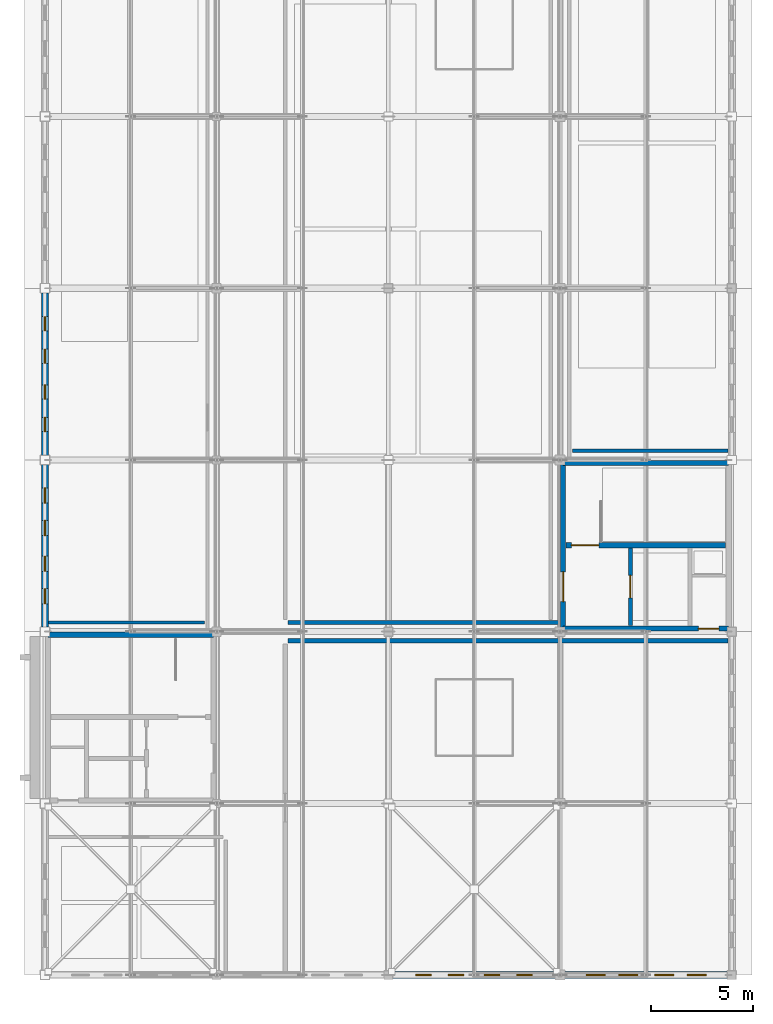
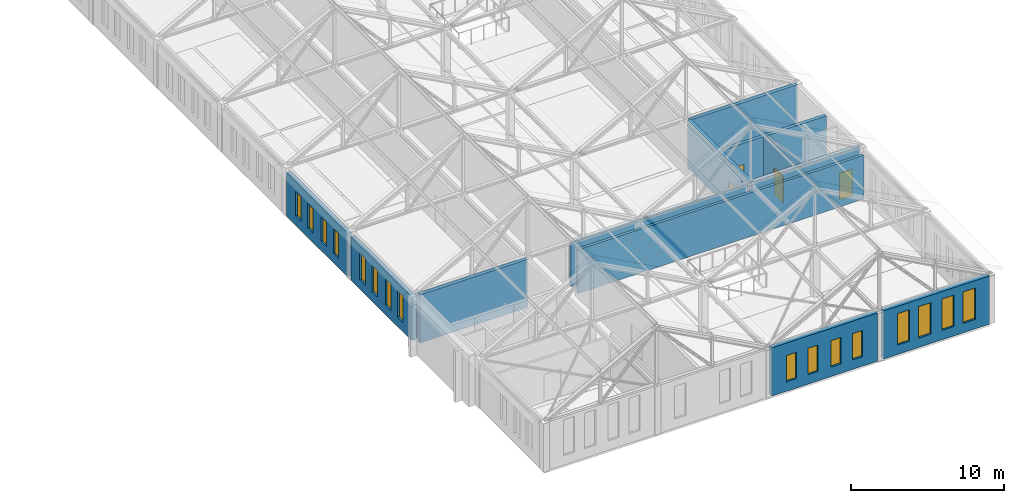
# One storey, part 31 of 36: 16 windows, 14 walls, 4 doors, 20 openings.
"""IFC4 building model written with IfcOpenShell, lengths in metres."""

from ifc_helpers import new_model, si_unit, direction, frame, frame_2d, origin, place, context, subcontext, project, spatial, rectangle, extrude, material, layer, layer_set, type_object, element, fill, save


model = new_model("IFC4")

# Units and contexts
model_context = context("Model", 3, precision=1e-05, world=origin(), true_north=direction((0.0, 1.0)))
body_context = subcontext(model_context, "Body", "Model", "MODEL_VIEW")
ifc_project = project(units=[si_unit("LENGTHUNIT", "METRE"), si_unit("AREAUNIT", "SQUARE_METRE"), si_unit("VOLUMEUNIT", "CUBIC_METRE"), si_unit("PLANEANGLEUNIT", "RADIAN"), si_unit("MASSUNIT", "GRAM", prefix="KILO")], contexts=[model_context])

# Site, building, storey
site_placement = place(None, origin())
site = spatial("IfcSite", under=ifc_project, at=site_placement, CompositionType="ELEMENT")
building_placement = place(site_placement, origin())
building = spatial("IfcBuilding", under=site, at=building_placement, Name="Kveldsbrygga Polytechnic", CompositionType="ELEMENT")
storey_placement = place(building_placement, frame((0.0, 0.0, 26.179931640625)))
storey = spatial("IfcBuildingStorey", under=building, at=storey_placement, Name="L06", CompositionType="ELEMENT", Elevation=26.179931640625)

# Wall, openings, windows
ifc_material_1 = material(Name="Fired clay brick masonry M10", Category="masonry")
ifc_layer_1 = layer(ifc_material_1, 0.340087890625)
ifc_layer_set_1 = layer_set([ifc_layer_1], Name="Fired clay brick masonry M10")
wall_type_1 = type_object("IfcWallType", Name="EW-BRICK-340", PredefinedType="SOLIDWALL", material=ifc_layer_set_1)
wall_1_placement = place(storey_placement, frame((126.0, 33.824951171875, 0.0), z_axis=(0.0, 0.0, 1.0), x_axis=(0.0, 1.0, 0.0)))
wall_1 = element("IfcWall", 1, at=wall_1_placement, inside=storey, type_object=wall_type_1, Name="Exterior Brick Wall EW-L06-Y-15-04", PredefinedType="SOLIDWALL", context=body_context, shape_type="SweptSolid", body=[
    extrude(rectangle(XDim=7.949951171875, YDim=0.340087890625, at=frame_2d((3.97509765625, 0.0))), origin(), (0.0, 0.0, 1.0), 3.47998046875),
])
opening_1_placement = place(wall_1_placement, frame((1.135498046875, 0.0, 0.75)))
opening_1 = element("IfcOpeningElement", 2, at=opening_1_placement, cuts=wall_1, Name="Opening W-27", PredefinedType="OPENING", context=body_context, shape_type="SweptSolid", body=[
    extrude(rectangle(XDim=0.75, YDim=2.10009765625, at=frame_2d((0.375, 1.050048828125))), frame((0.0, 0.18017578125, 0.0), z_axis=(0.0, -1.0, 0.0), x_axis=(1.0, 0.0, 0.0)), (0.0, 0.0, 1.0), 0.360107421875),
])
opening_2_placement = place(wall_1_placement, frame((2.7255859375, 0.0, 0.75)))
opening_2 = element("IfcOpeningElement", 3, at=opening_2_placement, cuts=wall_1, Name="Opening W-27", PredefinedType="OPENING", context=body_context, shape_type="SweptSolid", body=[
    extrude(rectangle(XDim=0.75, YDim=2.10009765625, at=frame_2d((0.375, 1.050048828125))), frame((0.0, 0.18017578125, 0.0), z_axis=(0.0, -1.0, 0.0), x_axis=(1.0, 0.0, 0.0)), (0.0, 0.0, 1.0), 0.360107421875),
])
opening_3_placement = place(wall_1_placement, frame((4.474609375, 0.0, 0.75)))
opening_3 = element("IfcOpeningElement", 4, at=opening_3_placement, cuts=wall_1, Name="Opening W-27", PredefinedType="OPENING", context=body_context, shape_type="SweptSolid", body=[
    extrude(rectangle(XDim=0.75, YDim=2.10009765625, at=frame_2d((0.375, 1.050048828125))), frame((0.0, 0.18017578125, 0.0), z_axis=(0.0, -1.0, 0.0), x_axis=(1.0, 0.0, 0.0)), (0.0, 0.0, 1.0), 0.360107421875),
])
opening_4_placement = place(wall_1_placement, frame((6.064453125, 0.0, 0.75)))
opening_4 = element("IfcOpeningElement", 5, at=opening_4_placement, cuts=wall_1, Name="Opening W-27", PredefinedType="OPENING", context=body_context, shape_type="SweptSolid", body=[
    extrude(rectangle(XDim=0.75, YDim=2.10009765625, at=frame_2d((0.375, 1.050048828125))), frame((0.0, 0.18017578125, 0.0), z_axis=(0.0, -1.0, 0.0), x_axis=(1.0, 0.0, 0.0)), (0.0, 0.0, 1.0), 0.360107421875),
])
ifc_material_2 = material(Name="Insulated triple low-E glass", Category="glass")
window_type_1 = type_object("IfcWindowType", Name="WN-ATTIC-075x210", PartitioningType="DOUBLE_PANEL_VERTICAL", PredefinedType="WINDOW", material=ifc_material_2)
window_1_placement = place(opening_1_placement, origin())
window_1 = element("IfcWindow", 6, at=window_1_placement, inside=storey, type_object=window_type_1, Name="Gothic Lancet Window WIN-L06-Y-15-04-1", OverallHeight=2.10009765625, OverallWidth=0.75, PartitioningType="DOUBLE_PANEL_VERTICAL", PredefinedType="WINDOW", context=body_context, shape_type="SweptSolid", body=[
    extrude(rectangle(XDim=0.75, YDim=2.10009765625, at=frame_2d((0.375, 1.050048828125))), frame((0.0, 0.030029296875, 0.0), z_axis=(0.0, -1.0, 0.0), x_axis=(1.0, 0.0, 0.0)), (0.0, 0.0, 1.0), 0.06005859375),
])
fill(opening_1, window_1)
window_2_placement = place(opening_2_placement, origin())
window_2 = element("IfcWindow", 7, at=window_2_placement, inside=storey, type_object=window_type_1, Name="Gothic Lancet Window WIN-L06-Y-15-04-2", OverallHeight=2.10009765625, OverallWidth=0.75, PartitioningType="DOUBLE_PANEL_VERTICAL", PredefinedType="WINDOW", context=body_context, shape_type="SweptSolid", body=[
    extrude(rectangle(XDim=0.75, YDim=2.10009765625, at=frame_2d((0.375, 1.050048828125))), frame((0.0, 0.030029296875, 0.0), z_axis=(0.0, -1.0, 0.0), x_axis=(1.0, 0.0, 0.0)), (0.0, 0.0, 1.0), 0.06005859375),
])
fill(opening_2, window_2)
window_3_placement = place(opening_3_placement, origin())
window_3 = element("IfcWindow", 8, at=window_3_placement, inside=storey, type_object=window_type_1, Name="Gothic Lancet Window WIN-L06-Y-15-04-3", OverallHeight=2.10009765625, OverallWidth=0.75, PartitioningType="DOUBLE_PANEL_VERTICAL", PredefinedType="WINDOW", context=body_context, shape_type="SweptSolid", body=[
    extrude(rectangle(XDim=0.75, YDim=2.10009765625, at=frame_2d((0.375, 1.050048828125))), frame((0.0, 0.030029296875, 0.0), z_axis=(0.0, -1.0, 0.0), x_axis=(1.0, 0.0, 0.0)), (0.0, 0.0, 1.0), 0.06005859375),
])
fill(opening_3, window_3)
window_4_placement = place(opening_4_placement, origin())
window_4 = element("IfcWindow", 9, at=window_4_placement, inside=storey, type_object=window_type_1, Name="Gothic Lancet Window WIN-L06-Y-15-04-4", OverallHeight=2.10009765625, OverallWidth=0.75, PartitioningType="DOUBLE_PANEL_VERTICAL", PredefinedType="WINDOW", context=body_context, shape_type="SweptSolid", body=[
    extrude(rectangle(XDim=0.75, YDim=2.10009765625, at=frame_2d((0.375, 1.050048828125))), frame((0.0, 0.030029296875, 0.0), z_axis=(0.0, -1.0, 0.0), x_axis=(1.0, 0.0, 0.0)), (0.0, 0.0, 1.0), 0.06005859375),
])
fill(opening_4, window_4)

wall_2_placement = place(storey_placement, frame((126.0, 42.22509765625, 0.0), z_axis=(0.0, 0.0, 1.0), x_axis=(0.0, 1.0, 0.0)))
wall_2 = element("IfcWall", 10, at=wall_2_placement, inside=storey, type_object=wall_type_1, Name="Exterior Brick Wall EW-L06-Y-15-05", PredefinedType="SOLIDWALL", context=body_context, shape_type="SweptSolid", body=[
    extrude(rectangle(XDim=7.949951171875, YDim=0.340087890625, at=frame_2d((3.97509765625, 0.0))), origin(), (0.0, 0.0, 1.0), 3.47998046875),
])
opening_5_placement = place(wall_2_placement, frame((1.160400390625, 0.0, 0.75)))
opening_5 = element("IfcOpeningElement", 11, at=opening_5_placement, cuts=wall_2, Name="Opening W-28", PredefinedType="OPENING", context=body_context, shape_type="SweptSolid", body=[
    extrude(rectangle(XDim=0.699951171875, YDim=1.949951171875, at=frame_2d((0.35009765625, 0.97509765625))), frame((0.0, 0.18017578125, 0.0), z_axis=(0.0, -1.0, 0.0), x_axis=(1.0, 0.0, 0.0)), (0.0, 0.0, 1.0), 0.360107421875),
])
opening_6_placement = place(wall_2_placement, frame((2.75048828125, 0.0, 0.75)))
opening_6 = element("IfcOpeningElement", 12, at=opening_6_placement, cuts=wall_2, Name="Opening W-28", PredefinedType="OPENING", context=body_context, shape_type="SweptSolid", body=[
    extrude(rectangle(XDim=0.699951171875, YDim=1.949951171875, at=frame_2d((0.35009765625, 0.97509765625))), frame((0.0, 0.18017578125, 0.0), z_axis=(0.0, -1.0, 0.0), x_axis=(1.0, 0.0, 0.0)), (0.0, 0.0, 1.0), 0.360107421875),
])
opening_7_placement = place(wall_2_placement, frame((4.49951171875, 0.0, 0.75)))
opening_7 = element("IfcOpeningElement", 13, at=opening_7_placement, cuts=wall_2, Name="Opening W-28", PredefinedType="OPENING", context=body_context, shape_type="SweptSolid", body=[
    extrude(rectangle(XDim=0.699951171875, YDim=1.949951171875, at=frame_2d((0.35009765625, 0.97509765625))), frame((0.0, 0.18017578125, 0.0), z_axis=(0.0, -1.0, 0.0), x_axis=(1.0, 0.0, 0.0)), (0.0, 0.0, 1.0), 0.360107421875),
])
opening_8_placement = place(wall_2_placement, frame((6.089599609375, 0.0, 0.75)))
opening_8 = element("IfcOpeningElement", 14, at=opening_8_placement, cuts=wall_2, Name="Opening W-28", PredefinedType="OPENING", context=body_context, shape_type="SweptSolid", body=[
    extrude(rectangle(XDim=0.699951171875, YDim=1.949951171875, at=frame_2d((0.35009765625, 0.97509765625))), frame((0.0, 0.18017578125, 0.0), z_axis=(0.0, -1.0, 0.0), x_axis=(1.0, 0.0, 0.0)), (0.0, 0.0, 1.0), 0.360107421875),
])
window_type_2 = type_object("IfcWindowType", Name="WN-ATTIC-070x195", PartitioningType="DOUBLE_PANEL_VERTICAL", PredefinedType="WINDOW", material=ifc_material_2)
window_5_placement = place(opening_5_placement, origin())
window_5 = element("IfcWindow", 15, at=window_5_placement, inside=storey, type_object=window_type_2, Name="Gothic Lancet Window WIN-L06-Y-15-05-1", OverallHeight=1.949951171875, OverallWidth=0.699951171875, PartitioningType="DOUBLE_PANEL_VERTICAL", PredefinedType="WINDOW", context=body_context, shape_type="SweptSolid", body=[
    extrude(rectangle(XDim=0.699951171875, YDim=1.949951171875, at=frame_2d((0.35009765625, 0.97509765625))), frame((0.0, 0.030029296875, 0.0), z_axis=(0.0, -1.0, 0.0), x_axis=(1.0, 0.0, 0.0)), (0.0, 0.0, 1.0), 0.06005859375),
])
fill(opening_5, window_5)
window_6_placement = place(opening_6_placement, origin())
window_6 = element("IfcWindow", 16, at=window_6_placement, inside=storey, type_object=window_type_2, Name="Gothic Lancet Window WIN-L06-Y-15-05-2", OverallHeight=1.949951171875, OverallWidth=0.699951171875, PartitioningType="DOUBLE_PANEL_VERTICAL", PredefinedType="WINDOW", context=body_context, shape_type="SweptSolid", body=[
    extrude(rectangle(XDim=0.699951171875, YDim=1.949951171875, at=frame_2d((0.35009765625, 0.97509765625))), frame((0.0, 0.030029296875, 0.0), z_axis=(0.0, -1.0, 0.0), x_axis=(1.0, 0.0, 0.0)), (0.0, 0.0, 1.0), 0.06005859375),
])
fill(opening_6, window_6)
window_7_placement = place(opening_7_placement, origin())
window_7 = element("IfcWindow", 17, at=window_7_placement, inside=storey, type_object=window_type_2, Name="Gothic Lancet Window WIN-L06-Y-15-05-3", OverallHeight=1.949951171875, OverallWidth=0.699951171875, PartitioningType="DOUBLE_PANEL_VERTICAL", PredefinedType="WINDOW", context=body_context, shape_type="SweptSolid", body=[
    extrude(rectangle(XDim=0.699951171875, YDim=1.949951171875, at=frame_2d((0.35009765625, 0.97509765625))), frame((0.0, 0.030029296875, 0.0), z_axis=(0.0, -1.0, 0.0), x_axis=(1.0, 0.0, 0.0)), (0.0, 0.0, 1.0), 0.06005859375),
])
fill(opening_7, window_7)
window_8_placement = place(opening_8_placement, origin())
window_8 = element("IfcWindow", 18, at=window_8_placement, inside=storey, type_object=window_type_2, Name="Gothic Lancet Window WIN-L06-Y-15-05-4", OverallHeight=1.949951171875, OverallWidth=0.699951171875, PartitioningType="DOUBLE_PANEL_VERTICAL", PredefinedType="WINDOW", context=body_context, shape_type="SweptSolid", body=[
    extrude(rectangle(XDim=0.699951171875, YDim=1.949951171875, at=frame_2d((0.35009765625, 0.97509765625))), frame((0.0, 0.030029296875, 0.0), z_axis=(0.0, -1.0, 0.0), x_axis=(1.0, 0.0, 0.0)), (0.0, 0.0, 1.0), 0.06005859375),
])
fill(opening_8, window_8)

wall_3_placement = place(storey_placement, frame((142.9951171875, 16.800048828125, 0.0), z_axis=(0.0, 0.0, 1.0), x_axis=(1.0, 0.0, 0.0)))
wall_3 = element("IfcWall", 19, at=wall_3_placement, inside=storey, type_object=wall_type_1, Name="Exterior Brick Wall EW-L06-X-17-02", PredefinedType="SOLIDWALL", context=body_context, shape_type="SweptSolid", body=[
    extrude(rectangle(XDim=7.97998046875, YDim=0.340087890625, at=frame_2d((3.989990234375, 0.0))), origin(), (0.0, 0.0, 1.0), 3.840087890625),
])
opening_9_placement = place(wall_3_placement, frame((1.14111328125, 0.0, 0.75)))
opening_9 = element("IfcOpeningElement", 20, at=opening_9_placement, cuts=wall_3, Name="Opening W-27", PredefinedType="OPENING", context=body_context, shape_type="SweptSolid", body=[
    extrude(rectangle(XDim=0.75, YDim=2.10009765625, at=frame_2d((0.375, 1.050048828125))), frame((0.0, 0.18017578125, 0.0), z_axis=(0.0, -1.0, 0.0), x_axis=(1.0, 0.0, 0.0)), (0.0, 0.0, 1.0), 0.360107421875),
])
opening_10_placement = place(wall_3_placement, frame((2.7373046875, 0.0, 0.75)))
opening_10 = element("IfcOpeningElement", 21, at=opening_10_placement, cuts=wall_3, Name="Opening W-27", PredefinedType="OPENING", context=body_context, shape_type="SweptSolid", body=[
    extrude(rectangle(XDim=0.75, YDim=2.10009765625, at=frame_2d((0.375, 1.050048828125))), frame((0.0, 0.18017578125, 0.0), z_axis=(0.0, -1.0, 0.0), x_axis=(1.0, 0.0, 0.0)), (0.0, 0.0, 1.0), 0.360107421875),
])
opening_11_placement = place(wall_3_placement, frame((4.492919921875, 0.0, 0.75)))
opening_11 = element("IfcOpeningElement", 22, at=opening_11_placement, cuts=wall_3, Name="Opening W-27", PredefinedType="OPENING", context=body_context, shape_type="SweptSolid", body=[
    extrude(rectangle(XDim=0.75, YDim=2.10009765625, at=frame_2d((0.375, 1.050048828125))), frame((0.0, 0.18017578125, 0.0), z_axis=(0.0, -1.0, 0.0), x_axis=(1.0, 0.0, 0.0)), (0.0, 0.0, 1.0), 0.360107421875),
])
opening_12_placement = place(wall_3_placement, frame((6.0888671875, 0.0, 0.75)))
opening_12 = element("IfcOpeningElement", 23, at=opening_12_placement, cuts=wall_3, Name="Opening W-27", PredefinedType="OPENING", context=body_context, shape_type="SweptSolid", body=[
    extrude(rectangle(XDim=0.75, YDim=2.10009765625, at=frame_2d((0.375, 1.050048828125))), frame((0.0, 0.18017578125, 0.0), z_axis=(0.0, -1.0, 0.0), x_axis=(1.0, 0.0, 0.0)), (0.0, 0.0, 1.0), 0.360107421875),
])
window_9_placement = place(opening_9_placement, origin())
window_9 = element("IfcWindow", 24, at=window_9_placement, inside=storey, type_object=window_type_1, Name="Gothic Lancet Window WIN-L06-X-17-02-1", OverallHeight=2.10009765625, OverallWidth=0.75, PartitioningType="DOUBLE_PANEL_VERTICAL", PredefinedType="WINDOW", context=body_context, shape_type="SweptSolid", body=[
    extrude(rectangle(XDim=0.75, YDim=2.10009765625, at=frame_2d((0.375, 1.050048828125))), frame((0.0, 0.030029296875, 0.0), z_axis=(0.0, -1.0, 0.0), x_axis=(1.0, 0.0, 0.0)), (0.0, 0.0, 1.0), 0.06005859375),
])
fill(opening_9, window_9)
window_10_placement = place(opening_10_placement, origin())
window_10 = element("IfcWindow", 25, at=window_10_placement, inside=storey, type_object=window_type_1, Name="Gothic Lancet Window WIN-L06-X-17-02-2", OverallHeight=2.10009765625, OverallWidth=0.75, PartitioningType="DOUBLE_PANEL_VERTICAL", PredefinedType="WINDOW", context=body_context, shape_type="SweptSolid", body=[
    extrude(rectangle(XDim=0.75, YDim=2.10009765625, at=frame_2d((0.375, 1.050048828125))), frame((0.0, 0.030029296875, 0.0), z_axis=(0.0, -1.0, 0.0), x_axis=(1.0, 0.0, 0.0)), (0.0, 0.0, 1.0), 0.06005859375),
])
fill(opening_10, window_10)
window_11_placement = place(opening_11_placement, origin())
window_11 = element("IfcWindow", 26, at=window_11_placement, inside=storey, type_object=window_type_1, Name="Gothic Lancet Window WIN-L06-X-17-02-3", OverallHeight=2.10009765625, OverallWidth=0.75, PartitioningType="DOUBLE_PANEL_VERTICAL", PredefinedType="WINDOW", context=body_context, shape_type="SweptSolid", body=[
    extrude(rectangle(XDim=0.75, YDim=2.10009765625, at=frame_2d((0.375, 1.050048828125))), frame((0.0, 0.030029296875, 0.0), z_axis=(0.0, -1.0, 0.0), x_axis=(1.0, 0.0, 0.0)), (0.0, 0.0, 1.0), 0.06005859375),
])
fill(opening_11, window_11)
window_12_placement = place(opening_12_placement, origin())
window_12 = element("IfcWindow", 27, at=window_12_placement, inside=storey, type_object=window_type_1, Name="Gothic Lancet Window WIN-L06-X-17-02-4", OverallHeight=2.10009765625, OverallWidth=0.75, PartitioningType="DOUBLE_PANEL_VERTICAL", PredefinedType="WINDOW", context=body_context, shape_type="SweptSolid", body=[
    extrude(rectangle(XDim=0.75, YDim=2.10009765625, at=frame_2d((0.375, 1.050048828125))), frame((0.0, 0.030029296875, 0.0), z_axis=(0.0, -1.0, 0.0), x_axis=(1.0, 0.0, 0.0)), (0.0, 0.0, 1.0), 0.06005859375),
])
fill(opening_12, window_12)

wall_4_placement = place(storey_placement, frame((151.425048828125, 16.800048828125, 0.0), z_axis=(0.0, 0.0, 1.0), x_axis=(1.0, 0.0, 0.0)))
wall_4 = element("IfcWall", 28, at=wall_4_placement, inside=storey, type_object=wall_type_1, Name="Exterior Brick Wall EW-L06-X-18-02", PredefinedType="SOLIDWALL", context=body_context, shape_type="SweptSolid", body=[
    extrude(rectangle(XDim=7.97998046875, YDim=0.340087890625, at=frame_2d((3.989990234375, 0.0))), origin(), (0.0, 0.0, 1.0), 3.840087890625),
])
opening_13_placement = place(wall_4_placement, frame((1.05615234375, 0.0, 0.75)))
opening_13 = element("IfcOpeningElement", 29, at=opening_13_placement, cuts=wall_4, Name="Opening W-22", PredefinedType="OPENING", context=body_context, shape_type="SweptSolid", body=[
    extrude(rectangle(XDim=0.919921875, YDim=2.5, at=frame_2d((0.4599609375, 1.25))), frame((0.0, 0.18017578125, 0.0), z_axis=(0.0, -1.0, 0.0), x_axis=(1.0, 0.0, 0.0)), (0.0, 0.0, 1.0), 0.360107421875),
])
opening_14_placement = place(wall_4_placement, frame((2.652099609375, 0.0, 0.75)))
opening_14 = element("IfcOpeningElement", 30, at=opening_14_placement, cuts=wall_4, Name="Opening W-22", PredefinedType="OPENING", context=body_context, shape_type="SweptSolid", body=[
    extrude(rectangle(XDim=0.919921875, YDim=2.5, at=frame_2d((0.4599609375, 1.25))), frame((0.0, 0.18017578125, 0.0), z_axis=(0.0, -1.0, 0.0), x_axis=(1.0, 0.0, 0.0)), (0.0, 0.0, 1.0), 0.360107421875),
])
opening_15_placement = place(wall_4_placement, frame((4.40771484375, 0.0, 0.75)))
opening_15 = element("IfcOpeningElement", 31, at=opening_15_placement, cuts=wall_4, Name="Opening W-22", PredefinedType="OPENING", context=body_context, shape_type="SweptSolid", body=[
    extrude(rectangle(XDim=0.919921875, YDim=2.5, at=frame_2d((0.4599609375, 1.25))), frame((0.0, 0.18017578125, 0.0), z_axis=(0.0, -1.0, 0.0), x_axis=(1.0, 0.0, 0.0)), (0.0, 0.0, 1.0), 0.360107421875),
])
opening_16_placement = place(wall_4_placement, frame((6.00390625, 0.0, 0.75)))
opening_16 = element("IfcOpeningElement", 32, at=opening_16_placement, cuts=wall_4, Name="Opening W-22", PredefinedType="OPENING", context=body_context, shape_type="SweptSolid", body=[
    extrude(rectangle(XDim=0.919921875, YDim=2.5, at=frame_2d((0.4599609375, 1.25))), frame((0.0, 0.18017578125, 0.0), z_axis=(0.0, -1.0, 0.0), x_axis=(1.0, 0.0, 0.0)), (0.0, 0.0, 1.0), 0.360107421875),
])
window_type_3 = type_object("IfcWindowType", Name="WN-LANC-092x250", PartitioningType="DOUBLE_PANEL_VERTICAL", PredefinedType="WINDOW", material=ifc_material_2)
window_13_placement = place(opening_13_placement, origin())
window_13 = element("IfcWindow", 33, at=window_13_placement, inside=storey, type_object=window_type_3, Name="Gothic Lancet Window WIN-L06-X-18-02-1", OverallHeight=2.5, OverallWidth=0.919921875, PartitioningType="DOUBLE_PANEL_VERTICAL", PredefinedType="WINDOW", context=body_context, shape_type="SweptSolid", body=[
    extrude(rectangle(XDim=0.919921875, YDim=2.5, at=frame_2d((0.4599609375, 1.25))), frame((0.0, 0.030029296875, 0.0), z_axis=(0.0, -1.0, 0.0), x_axis=(1.0, 0.0, 0.0)), (0.0, 0.0, 1.0), 0.06005859375),
])
fill(opening_13, window_13)
window_14_placement = place(opening_14_placement, origin())
window_14 = element("IfcWindow", 34, at=window_14_placement, inside=storey, type_object=window_type_3, Name="Gothic Lancet Window WIN-L06-X-18-02-2", OverallHeight=2.5, OverallWidth=0.919921875, PartitioningType="DOUBLE_PANEL_VERTICAL", PredefinedType="WINDOW", context=body_context, shape_type="SweptSolid", body=[
    extrude(rectangle(XDim=0.919921875, YDim=2.5, at=frame_2d((0.4599609375, 1.25))), frame((0.0, 0.030029296875, 0.0), z_axis=(0.0, -1.0, 0.0), x_axis=(1.0, 0.0, 0.0)), (0.0, 0.0, 1.0), 0.06005859375),
])
fill(opening_14, window_14)
window_15_placement = place(opening_15_placement, origin())
window_15 = element("IfcWindow", 35, at=window_15_placement, inside=storey, type_object=window_type_3, Name="Gothic Lancet Window WIN-L06-X-18-02-3", OverallHeight=2.5, OverallWidth=0.919921875, PartitioningType="DOUBLE_PANEL_VERTICAL", PredefinedType="WINDOW", context=body_context, shape_type="SweptSolid", body=[
    extrude(rectangle(XDim=0.919921875, YDim=2.5, at=frame_2d((0.4599609375, 1.25))), frame((0.0, 0.030029296875, 0.0), z_axis=(0.0, -1.0, 0.0), x_axis=(1.0, 0.0, 0.0)), (0.0, 0.0, 1.0), 0.06005859375),
])
fill(opening_15, window_15)
window_16_placement = place(opening_16_placement, origin())
window_16 = element("IfcWindow", 36, at=window_16_placement, inside=storey, type_object=window_type_3, Name="Gothic Lancet Window WIN-L06-X-18-02-4", OverallHeight=2.5, OverallWidth=0.919921875, PartitioningType="DOUBLE_PANEL_VERTICAL", PredefinedType="WINDOW", context=body_context, shape_type="SweptSolid", body=[
    extrude(rectangle(XDim=0.919921875, YDim=2.5, at=frame_2d((0.4599609375, 1.25))), frame((0.0, 0.030029296875, 0.0), z_axis=(0.0, -1.0, 0.0), x_axis=(1.0, 0.0, 0.0)), (0.0, 0.0, 1.0), 0.06005859375),
])
fill(opening_16, window_16)

# Walls
ifc_material_3 = material(Name="Gypsum acoustic stud partition")
ifc_layer_2 = layer(ifc_material_3, 0.179931640625)
ifc_layer_set_2 = layer_set([ifc_layer_2], Name="Gypsum acoustic stud partition")
wall_type_2 = type_object("IfcWallType", Name="IW-CORR-180", PredefinedType="PARTITIONING", material=ifc_layer_set_2)
wall_5_placement = place(storey_placement, frame((137.89990234375, 34.050048828125, 0.0), z_axis=(0.0, 0.0, 1.0), x_axis=(1.0, 0.0, 0.0)))
element("IfcWall", 37, at=wall_5_placement, inside=storey, type_object=wall_type_2, Name="Partition Wall IW-SP-L06-CRIT-S1", PredefinedType="PARTITIONING", context=body_context, shape_type="SweptSolid", body=[
    extrude(rectangle(XDim=13.27001953125, YDim=0.179931640625, at=frame_2d((6.635009765625, 0.0))), origin(), (0.0, 0.0, 1.0), 3.47998046875),
])
ifc_material_4 = material(Name="Concrete blockwork masonry", Category="masonry")
ifc_layer_3 = layer(ifc_material_4, 0.2099609375)
ifc_layer_set_3 = layer_set([ifc_layer_3], Name="Concrete blockwork masonry")
wall_type_3 = type_object("IfcWallType", Name="IW-PLT-210", PredefinedType="PARTITIONING", material=ifc_layer_set_3)
wall_6_placement = place(storey_placement, frame((137.89990234375, 33.14990234375, 0.0), z_axis=(0.0, 0.0, 1.0), x_axis=(1.0, 0.0, 0.0)))
element("IfcWall", 38, at=wall_6_placement, inside=storey, type_object=wall_type_3, Name="Partition Wall IW-SP-L06-PLANT-N1", PredefinedType="PARTITIONING", context=body_context, shape_type="SweptSolid", body=[
    extrude(rectangle(XDim=21.52001953125, YDim=0.2099609375, at=frame_2d((10.760009765625, 0.0))), origin(), (0.0, 0.0, 1.0), 3.47998046875),
])
ifc_layer_4 = layer(ifc_material_3, 0.14990234375)
ifc_layer_set_4 = layer_set([ifc_layer_4], Name="Gypsum acoustic stud partition")
wall_type_4 = type_object("IfcWallType", Name="IW-SEM-150", PredefinedType="PARTITIONING", material=ifc_layer_set_4)
wall_7_placement = place(storey_placement, frame((151.800048828125, 42.449951171875, 0.0), z_axis=(0.0, 0.0, 1.0), x_axis=(1.0, 0.0, 0.0)))
element("IfcWall", 39, at=wall_7_placement, inside=storey, type_object=wall_type_4, Name="Partition Wall IW-SP-L06-SEM61-S1", PredefinedType="PARTITIONING", context=body_context, shape_type="SweptSolid", body=[
    extrude(rectangle(XDim=7.619873046875, YDim=0.14990234375, at=frame_2d((3.81005859375, 0.0))), origin(), (0.0, 0.0, 1.0), 3.47998046875),
])
ifc_layer_5 = layer(ifc_material_3, 0.159912109375)
ifc_layer_set_5 = layer_set([ifc_layer_5], Name="Gypsum acoustic stud partition")
wall_type_5 = type_object("IfcWallType", Name="IW-STD-160", PredefinedType="PARTITIONING", material=ifc_layer_set_5)
wall_8_placement = place(storey_placement, frame((126.179931640625, 34.050048828125, 0.0), z_axis=(0.0, 0.0, 1.0), x_axis=(1.0, 0.0, 0.0)))
element("IfcWall", 40, at=wall_8_placement, inside=storey, type_object=wall_type_5, Name="Partition Wall IW-SP-L06-STD61-S1", PredefinedType="PARTITIONING", context=body_context, shape_type="SweptSolid", body=[
    extrude(rectangle(XDim=7.6201171875, YDim=0.159912109375, at=frame_2d((3.81005859375, 0.0))), origin(), (0.0, 0.0, 1.0), 3.47998046875),
])
ifc_material_5 = material(Name="Concrete C45/55", Category="concrete")
ifc_layer_6 = layer(ifc_material_5, 0.25)
ifc_layer_set_6 = layer_set([ifc_layer_6], Name="Concrete C45/55")
wall_type_6 = type_object("IfcWallType", Name="WL-CORE-250", PredefinedType="SHEAR", material=ifc_layer_set_6)
wall_9_placement = place(storey_placement, frame((126.14990234375, 33.449951171875, 0.0), z_axis=(0.0, 0.0, 1.0), x_axis=(1.0, 0.0, 0.0)))
element("IfcWall", 41, at=wall_9_placement, inside=storey, type_object=wall_type_6, Name="Core C1 Shear Wall C1-L06-SW-N", PredefinedType="SHEAR", context=body_context, shape_type="SweptSolid", body=[
    extrude(rectangle(XDim=8.10009765625, YDim=0.25, at=frame_2d((4.050048828125, 0.0))), origin(), (0.0, 0.0, 1.0), 3.840087890625),
])

# Wall, opening, door
wall_10_placement = place(storey_placement, frame((151.35009765625, 33.75, 0.0), z_axis=(0.0, 0.0, 1.0), x_axis=(1.0, 0.0, 0.0)))
wall_10 = element("IfcWall", 42, at=wall_10_placement, inside=storey, type_object=wall_type_6, Name="Core C3 Shear Wall C3-L06-SW-S", PredefinedType="SHEAR", context=body_context, shape_type="SweptSolid", body=[
    extrude(rectangle(XDim=8.099853515625, YDim=0.25, at=frame_2d((4.0498046875, 0.0))), origin(), (0.0, 0.0, 1.0), 3.840087890625),
])
opening_17_placement = place(wall_10_placement, frame((6.614990234375, 0.0, 0.0)))
opening_17 = element("IfcOpeningElement", 43, at=opening_17_placement, cuts=wall_10, Name="Opening ID-C3-L06-AWC", PredefinedType="OPENING", context=body_context, shape_type="SweptSolid", body=[
    extrude(rectangle(XDim=1.0, YDim=2.14990234375, at=frame_2d((0.5, 1.074951171875))), frame((0.0, 0.135009765625, 0.0), z_axis=(0.0, -1.0, 0.0), x_axis=(1.0, 0.0, 0.0)), (0.0, 0.0, 1.0), 0.27001953125),
])
ifc_material_6 = material(Name="Acoustic oak timber", Category="wood")
door_type_1 = type_object("IfcDoorType", Name="ID-AWC-100x215", OperationType="NOTDEFINED", PredefinedType="DOOR", material=ifc_material_6)
door_1_placement = place(opening_17_placement, origin())
door_1 = element("IfcDoor", 44, at=door_1_placement, inside=storey, type_object=door_type_1, Name="Accessible WC Door ID-C3-L06-AWC", OperationType="SINGLE_SWING_RIGHT", OverallHeight=2.14990234375, OverallWidth=1.0, PredefinedType="DOOR", context=body_context, shape_type="SweptSolid", body=[
    extrude(rectangle(XDim=1.0, YDim=2.14990234375, at=frame_2d((0.5, 1.074951171875))), frame((0.0, 0.02490234375, 0.0), z_axis=(0.0, -1.0, 0.0), x_axis=(1.0, 0.0, 0.0)), (0.0, 0.0, 1.0), 0.050048828125),
])
fill(opening_17, door_1)

# Wall
wall_11_placement = place(storey_placement, frame((151.35009765625, 41.85009765625, 0.0), z_axis=(0.0, 0.0, 1.0), x_axis=(1.0, 0.0, 0.0)))
element("IfcWall", 45, at=wall_11_placement, inside=storey, type_object=wall_type_6, Name="Core C3 Shear Wall C3-L06-SW-N", PredefinedType="SHEAR", context=body_context, shape_type="SweptSolid", body=[
    extrude(rectangle(XDim=8.099853515625, YDim=0.25, at=frame_2d((4.0498046875, 0.0))), origin(), (0.0, 0.0, 1.0), 3.840087890625),
])

# Wall, opening, door
wall_12_placement = place(storey_placement, frame((151.35009765625, 33.75, 0.0), z_axis=(0.0, 0.0, 1.0), x_axis=(0.0, 1.0, 0.0)))
wall_12 = element("IfcWall", 46, at=wall_12_placement, inside=storey, type_object=wall_type_6, Name="Core C3 Shear Wall C3-L06-SW-W", PredefinedType="SHEAR", context=body_context, shape_type="SweptSolid", body=[
    extrude(rectangle(XDim=8.10009765625, YDim=0.25, at=frame_2d((4.050048828125, 0.0))), origin(), (0.0, 0.0, 1.0), 3.840087890625),
])
opening_18_placement = place(wall_12_placement, frame((1.324951171875, 0.0, 0.0)))
opening_18 = element("IfcOpeningElement", 47, at=opening_18_placement, cuts=wall_12, Name="Opening FD-C3-L06-LOB", PredefinedType="OPENING", context=body_context, shape_type="SweptSolid", body=[
    extrude(rectangle(XDim=1.449951171875, YDim=2.14990234375, at=frame_2d((0.72509765625, 1.074951171875))), frame((0.0, 0.135009765625, 0.0), z_axis=(0.0, -1.0, 0.0), x_axis=(1.0, 0.0, 0.0)), (0.0, 0.0, 1.0), 0.27001953125),
])
ifc_material_7 = material(Name="Powder-coated galvanised steel", Category="steel")
door_type_2 = type_object("IfcDoorType", Name="ID-LOBBY-145x215", OperationType="DOUBLE_DOOR_SINGLE_SWING", PredefinedType="DOOR", material=ifc_material_7)
door_2_placement = place(opening_18_placement, origin())
door_2 = element("IfcDoor", 48, at=door_2_placement, inside=storey, type_object=door_type_2, Name="Core Lobby Fire Door FD-C3-L06-LOB", OperationType="DOUBLE_DOOR_SINGLE_SWING", OverallHeight=2.14990234375, OverallWidth=1.449951171875, PredefinedType="DOOR", context=body_context, shape_type="SweptSolid", body=[
    extrude(rectangle(XDim=1.449951171875, YDim=2.14990234375, at=frame_2d((0.72509765625, 1.074951171875))), frame((0.0, 0.02490234375, 0.0), z_axis=(0.0, -1.0, 0.0), x_axis=(1.0, 0.0, 0.0)), (0.0, 0.0, 1.0), 0.050048828125),
])
fill(opening_18, door_2)

wall_13_placement = place(storey_placement, frame((151.5, 37.830078125, 0.0), z_axis=(0.0, 0.0, 1.0), x_axis=(1.0, 0.0, 0.0)))
wall_13 = element("IfcWall", 49, at=wall_13_placement, inside=storey, type_object=wall_type_6, Name="Core C3 Shear Wall C3-L06-W-DIV", PredefinedType="SHEAR", context=body_context, shape_type="SweptSolid", body=[
    extrude(rectangle(XDim=7.800048828125, YDim=0.25, at=frame_2d((3.89990234375, 0.0))), origin(), (0.0, 0.0, 1.0), 3.840087890625),
])
opening_19_placement = place(wall_13_placement, frame((0.25, 0.0, 0.0)))
opening_19 = element("IfcOpeningElement", 50, at=opening_19_placement, cuts=wall_13, Name="Opening FD-C3-L06-ST", PredefinedType="OPENING", context=body_context, shape_type="SweptSolid", body=[
    extrude(rectangle(XDim=1.35009765625, YDim=2.14990234375, at=frame_2d((0.675048828125, 1.074951171875))), frame((0.0, 0.135009765625, 0.0), z_axis=(0.0, -1.0, 0.0), x_axis=(1.0, 0.0, 0.0)), (0.0, 0.0, 1.0), 0.27001953125),
])
door_type_3 = type_object("IfcDoorType", Name="ID-STAIR-135x215", OperationType="NOTDEFINED", PredefinedType="DOOR", material=ifc_material_7)
door_3_placement = place(opening_19_placement, origin())
door_3 = element("IfcDoor", 51, at=door_3_placement, inside=storey, type_object=door_type_3, Name="Stair Fire Door FD-C3-L06-ST", OperationType="SINGLE_SWING_LEFT", OverallHeight=2.14990234375, OverallWidth=1.35009765625, PredefinedType="DOOR", context=body_context, shape_type="SweptSolid", body=[
    extrude(rectangle(XDim=1.35009765625, YDim=2.14990234375, at=frame_2d((0.675048828125, 1.074951171875))), frame((0.0, 0.02490234375, 0.0), z_axis=(0.0, -1.0, 0.0), x_axis=(1.0, 0.0, 0.0)), (0.0, 0.0, 1.0), 0.050048828125),
])
fill(opening_19, door_3)

ifc_material_8 = material(Name="Concrete C35/45", Category="concrete")
ifc_layer_7 = layer(ifc_material_8, 0.199951171875)
ifc_layer_set_7 = layer_set([ifc_layer_7], Name="Concrete C35/45")
wall_type_7 = type_object("IfcWallType", Name="WL-SHFT-200", PredefinedType="SHEAR", material=ifc_layer_set_7)
wall_14_placement = place(storey_placement, frame((154.639892578125, 33.89990234375, 0.0), z_axis=(0.0, 0.0, 1.0), x_axis=(0.0, 1.0, 0.0)))
wall_14 = element("IfcWall", 52, at=wall_14_placement, inside=storey, type_object=wall_type_7, Name="Lift Front Wall C3-L06-W-LFR", PredefinedType="SHEAR", context=body_context, shape_type="SweptSolid", body=[
    extrude(rectangle(XDim=3.800048828125, YDim=0.199951171875, at=frame_2d((1.89990234375, 0.0))), origin(), (0.0, 0.0, 1.0), 3.840087890625),
])
opening_20_placement = place(wall_14_placement, frame((1.35009765625, 0.0, 0.0)))
opening_20 = element("IfcOpeningElement", 53, at=opening_20_placement, cuts=wall_14, Name="Opening LD-LP-3", PredefinedType="OPENING", context=body_context, shape_type="SweptSolid", body=[
    extrude(rectangle(XDim=1.10009765625, YDim=2.14990234375, at=frame_2d((0.550048828125, 1.074951171875))), frame((0.0, 0.10986328125, 0.0), z_axis=(0.0, -1.0, 0.0), x_axis=(1.0, 0.0, 0.0)), (0.0, 0.0, 1.0), 0.219970703125),
])
ifc_material_9 = material(Name="Brushed stainless steel EN 1.4401", Category="steel")
door_type_4 = type_object("IfcDoorType", Name="LD-PAX-110x215", OperationType="SLIDING_TO_LEFT", PredefinedType="DOOR", material=ifc_material_9)
door_4_placement = place(opening_20_placement, origin())
door_4 = element("IfcDoor", 54, at=door_4_placement, inside=storey, type_object=door_type_4, Name="Lift Landing Sliding Door LD-LP-3-L06", OperationType="SLIDING_TO_LEFT", OverallHeight=2.14990234375, OverallWidth=1.10009765625, PredefinedType="DOOR", context=body_context, shape_type="SweptSolid", body=[
    extrude(rectangle(XDim=1.10009765625, YDim=2.14990234375, at=frame_2d((0.550048828125, 1.074951171875))), frame((0.0, 0.02490234375, 0.0), z_axis=(0.0, -1.0, 0.0), x_axis=(1.0, 0.0, 0.0)), (0.0, 0.0, 1.0), 0.050048828125),
])
fill(opening_20, door_4)

save(model, "model.ifc")
